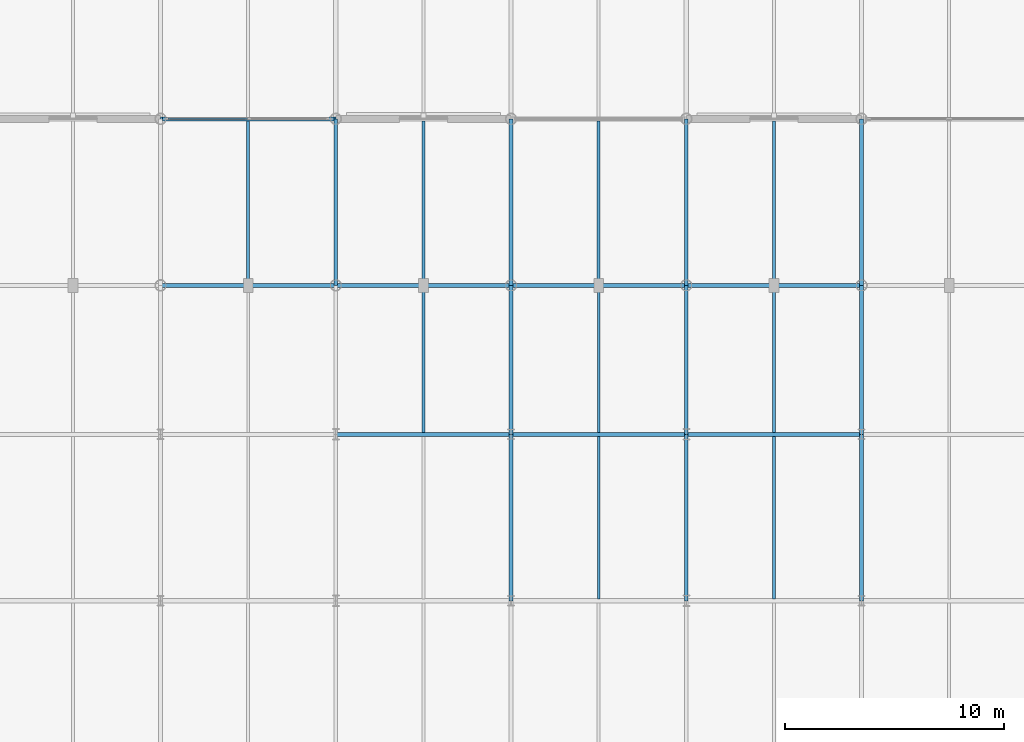
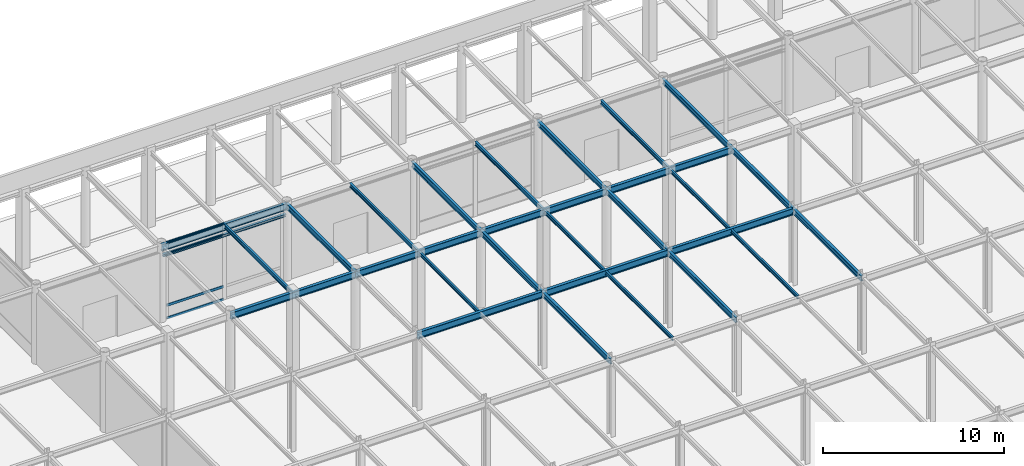
# One storey, part 37 of 89: 28 beams, 4 members, 1 element without a shape of its own.
"""IFC4 building model written with IfcOpenShell, lengths in metres."""

import ifcopenshell
import ifcopenshell.guid

model = None  # the IFC model being written
_history = None  # IfcOwnerHistory: only IFC2X3 demands one
_inside = {}  # id of a spatial element -> (the spatial element, [elements in it])
_under = {}  # id of a project, library or spatial element -> (it, [spatial elements below it])
_declared = {}  # id of a project -> (the project, [libraries it declares])
_typed = {}  # id of a type object -> (the type object, [elements of that type])
_made_of = {}  # id of a material, layer set ... -> (it, [elements and type objects made of it])


def new_model(schema):
    """Start an empty IFC model of exactly this schema.

    Asked for "IFC4X3", IfcOpenShell would pick the latest addendum, in which some entities
    have other attributes; the version numbers below select the first issue.
    IFC2X3 requires an IfcOwnerHistory on every rooted entity: one is made here for all.
    """
    global model, _history
    if schema == "IFC4X3":
        model = ifcopenshell.file(schema_version=(4, 3, 0, 0))
    else:
        model = ifcopenshell.file(schema=schema)
    _inside.clear()
    _under.clear()
    _declared.clear()
    _typed.clear()
    _made_of.clear()
    _history = None
    if model.schema == "IFC2X3":
        org = make("IfcOrganization", Name="unknown")
        user = make(
            "IfcPersonAndOrganization",
            ThePerson=make("IfcPerson", FamilyName="unknown"),
            TheOrganization=org,
        )
        app = make(
            "IfcApplication",
            ApplicationDeveloper=org,
            Version="unknown",
            ApplicationFullName="unknown",
            ApplicationIdentifier="unknown",
        )
        _history = make(
            "IfcOwnerHistory",
            OwningUser=user,
            OwningApplication=app,
            ChangeAction="ADDED",
            CreationDate=0,
        )
    return model


def make(cls, **values):
    """One entity of the class cls with the attributes given. An attribute that is None is left unset."""
    return model.create_entity(
        cls, **{name: value for name, value in values.items() if value is not None}
    )


def rooted(cls, **values):
    """An entity with a GlobalId (a new one), such as an element, a storey or a relation."""
    return make(cls, GlobalId=ifcopenshell.guid.new(), OwnerHistory=_history, **values)


def si_unit(unit_type, name, prefix=None):
    """IfcSIUnit, for example si_unit("LENGTHUNIT", "METRE", prefix="MILLI")."""
    return make("IfcSIUnit", UnitType=unit_type, Prefix=prefix, Name=name)


def assignment(units):
    """IfcUnitAssignment: the units of a project."""
    return None if units is None else make("IfcUnitAssignment", Units=units)


def point(xyz):
    """IfcCartesianPoint."""
    return None if xyz is None else make("IfcCartesianPoint", Coordinates=xyz)


def direction(xyz):
    """IfcDirection."""
    return None if xyz is None else make("IfcDirection", DirectionRatios=xyz)


def frame(location, z_axis=None, x_axis=None):
    """IfcAxis2Placement3D, a coordinate frame: its origin and axes. An axis left out is left unset."""
    return make(
        "IfcAxis2Placement3D",
        Location=point(location),
        Axis=direction(z_axis),
        RefDirection=direction(x_axis),
    )


def frame_2d(location, x_axis=None):
    """IfcAxis2Placement2D, a coordinate frame in the plane: its origin and x axis."""
    return make(
        "IfcAxis2Placement2D", Location=point(location), RefDirection=direction(x_axis)
    )


def origin():
    """The frame at (0, 0, 0) with its axes left unset."""
    return frame((0.0, 0.0, 0.0))


def origin_2d():
    """The frame at (0, 0) in the plane with its x axis left unset."""
    return frame_2d((0.0, 0.0))


def place(relative_to, where):
    """IfcLocalPlacement: puts the frame where relative to a parent placement (None: the world)."""
    return make(
        "IfcLocalPlacement", PlacementRelTo=relative_to, RelativePlacement=where
    )


def context(
    kind, dimensions, precision=None, world=None, true_north=None, identifier=None
):
    """IfcGeometricRepresentationContext, for example the 3D "Model" context."""
    return make(
        "IfcGeometricRepresentationContext",
        ContextIdentifier=identifier,
        ContextType=kind,
        CoordinateSpaceDimension=dimensions,
        Precision=precision,
        WorldCoordinateSystem=world,
        TrueNorth=true_north,
    )


def subcontext(parent, identifier, kind, view, scale=None):
    """IfcGeometricRepresentationSubContext, for example "Body" below "Model"."""
    return make(
        "IfcGeometricRepresentationSubContext",
        ContextIdentifier=identifier,
        ContextType=kind,
        ParentContext=parent,
        TargetScale=scale,
        TargetView=view,
    )


def project(units=None, contexts=None):
    """IfcProject with its units and contexts."""
    return rooted(
        "IfcProject",
        Name="project",
        RepresentationContexts=contexts,
        UnitsInContext=assignment(units),
    )


def spatial(cls, under=None, at=None, **own):
    """A site, building, storey or space (cls), placed at a placement, below another one or the project."""
    s = rooted(cls, ObjectPlacement=at, **own)
    if under is not None:
        _under.setdefault(under.id(), (under, []))[1].append(s)
    return s


def profile(cls, at=None, kind="AREA", **sizes):
    """A parametric profile (cls). Its sizes go by their IFC names, for example OverallWidth=200.0."""
    return make(cls, ProfileType=kind, Position=at, **sizes)


def hollow_rectangle(**sizes):
    """IfcRectangleHollowProfileDef."""
    return profile("IfcRectangleHollowProfileDef", **sizes)


def i_section(**sizes):
    """IfcIShapeProfileDef."""
    return profile("IfcIShapeProfileDef", **sizes)


def extrude(swept, where, along, depth):
    """IfcExtrudedAreaSolid: the profile swept, set in the frame where, extruded along a direction by depth."""
    return make(
        "IfcExtrudedAreaSolid",
        SweptArea=swept,
        Position=where,
        ExtrudedDirection=direction(along),
        Depth=depth,
    )


def shape(context_of_items, identifier, shape_type, items):
    """IfcShapeRepresentation: the items that make up one representation, for example the "Body"."""
    return make(
        "IfcShapeRepresentation",
        ContextOfItems=context_of_items,
        RepresentationIdentifier=identifier,
        RepresentationType=shape_type,
        Items=items,
    )


def material(Name=None, Category=None):
    """IfcMaterial."""
    return make("IfcMaterial", Name=Name, Category=Category)


def layer(
    of_material, thickness, ventilated=None, Name=None, Category=None, Priority=None
):
    """IfcMaterialLayer: one layer of a wall or slab, of a material (None: an air gap)."""
    return make(
        "IfcMaterialLayer",
        Material=of_material,
        LayerThickness=thickness,
        IsVentilated=ventilated,
        Name=Name,
        Category=Category,
        Priority=Priority,
    )


def layer_set(layers, Name=None):
    """IfcMaterialLayerSet."""
    return make("IfcMaterialLayerSet", MaterialLayers=layers, LayerSetName=Name)


def material_profile(
    of_material, cross_section, Name=None, Category=None, Priority=None
):
    """IfcMaterialProfile: a cross section and its material."""
    return make(
        "IfcMaterialProfile",
        Name=Name,
        Material=of_material,
        Profile=cross_section,
        Priority=Priority,
        Category=Category,
    )


def profile_set(profiles, Name=None, composite=None):
    """IfcMaterialProfileSet."""
    return make(
        "IfcMaterialProfileSet",
        Name=Name,
        MaterialProfiles=profiles,
        CompositeProfile=composite,
    )


def made_of(thing, what):
    """Note that an element or type object is made of a material, layer set ...; save() writes the relation."""
    if what is not None:
        _made_of.setdefault(what.id(), (what, []))[1].append(thing)
    return thing


def type_object(cls, material=None, **own):
    """A type object (cls), such as IfcWallType, which elements share."""
    return made_of(rooted(cls, **own), material)


def element(
    cls,
    number,
    at=None,
    inside=None,
    cuts=None,
    type_object=None,
    material=None,
    context=None,
    identifier="Body",
    shape_type=None,
    held_by="IfcProductDefinitionShape",
    body=None,
    shapes=None,
    **own,
):
    """One element of the class cls, such as IfcWall. Its Tag is "e" and its number.

    at: its placement. inside: the storey or other place that contains it. cuts: it is an
    opening in that element (IfcRelVoidsElement). A single representation is given by context,
    identifier, shape_type and body (its items); several are given by shapes. held_by: the class
    of the entity that holds the representations. save() writes the other relations.
    """
    e = rooted(cls, Tag="e%d" % number, ObjectPlacement=at, **own)
    if body is not None:
        shapes = [shape(context, identifier, shape_type, body)]
    if shapes is not None:
        e.Representation = make(held_by, Representations=shapes)
    if inside is not None:
        _inside.setdefault(inside.id(), (inside, []))[1].append(e)
    if cuts is not None:
        rooted(
            "IfcRelVoidsElement", RelatingBuildingElement=cuts, RelatedOpeningElement=e
        )
    if type_object is not None:
        _typed.setdefault(type_object.id(), (type_object, []))[1].append(e)
    return made_of(e, material)


def aggregate(whole, parts):
    """IfcRelAggregates: a whole, such as a stair, and the parts it consists of."""
    return rooted("IfcRelAggregates", RelatingObject=whole, RelatedObjects=parts)


def save(model, path):
    """Write the relations noted so far, then the file.

    IfcRelAggregates (storeys below a building ...), IfcRelContainedInSpatialStructure (elements
    in a storey), IfcRelDefinesByType, IfcRelAssociatesMaterial and IfcRelDeclares: one each for
    every whole, place, type object, material and project.
    """
    for whole, parts in _under.values():
        aggregate(whole, parts)
    for where, things in _inside.values():
        rooted(
            "IfcRelContainedInSpatialStructure",
            RelatedElements=things,
            RelatingStructure=where,
        )
    for kind, things in _typed.values():
        rooted("IfcRelDefinesByType", RelatedObjects=things, RelatingType=kind)
    for what, things in _made_of.values():
        rooted("IfcRelAssociatesMaterial", RelatedObjects=things, RelatingMaterial=what)
    for by, libraries in _declared.values():
        rooted("IfcRelDeclares", RelatingContext=by, RelatedDefinitions=libraries)
    model.write(path)


model = new_model("IFC4")

# Units and contexts
model_context = context("Model", 3, precision=1e-05, world=origin(), true_north=direction((0.0, 1.0)))
body_context = subcontext(model_context, "Body", "Model", "MODEL_VIEW")
ifc_project = project(units=[si_unit("LENGTHUNIT", "METRE"), si_unit("AREAUNIT", "SQUARE_METRE"), si_unit("VOLUMEUNIT", "CUBIC_METRE"), si_unit("PLANEANGLEUNIT", "RADIAN"), si_unit("MASSUNIT", "GRAM", prefix="KILO")], contexts=[model_context])

# Site, building, storey
site_placement = place(None, origin())
site = spatial("IfcSite", under=ifc_project, at=site_placement, CompositionType="ELEMENT")
building_placement = place(site_placement, origin())
building = spatial("IfcBuilding", under=site, at=building_placement, Name="Shalkamar Park Central Library", CompositionType="ELEMENT")
storey_placement = place(building_placement, origin())
storey = spatial("IfcBuildingStorey", under=building, at=storey_placement, Name="L01", CompositionType="ELEMENT", Elevation=0.0)

# Beams
ifc_material_1 = material(Name="Steel S355", Category="steel")
ifc_material_profile_1 = material_profile(ifc_material_1, i_section(OverallWidth=0.1201171875, OverallDepth=0.239990234375, WebThickness=0.006103515625, FlangeThickness=0.009765625, FilletRadius=0.014892578125, at=origin_2d()), Name="IPE 240")
ifc_profile_set_1 = profile_set([ifc_material_profile_1], Name="Steel S355")
beam_type_1 = type_object("IfcBeamType", Name="Composite Floor Joist IPE240", PredefinedType="JOIST", material=ifc_profile_set_1)
beam_1_placement = place(storey_placement, frame((185.0, 331.29296875, 5.02001953125), z_axis=(0.0, 1.0, 0.0), x_axis=(-1.0, 0.0, 0.0)))
element("IfcBeam", 1, at=beam_1_placement, inside=storey, type_object=beam_type_1, Name="Composite Joist 09/N-1 (L01)", PredefinedType="JOIST", context=body_context, shape_type="SweptSolid", body=[
    extrude(i_section(OverallWidth=0.1201171875, OverallDepth=0.239990234375, WebThickness=0.006103515625, FlangeThickness=0.009765625, FilletRadius=0.014892578125, at=origin_2d()), origin(), (0.0, 0.0, 1.0), 6.614013671875),
])
beam_2_placement = place(storey_placement, frame((193.0, 323.693115234375, 5.02001953125), z_axis=(0.0, 1.0, 0.0), x_axis=(-1.0, 0.0, 0.0)))
element("IfcBeam", 2, at=beam_2_placement, inside=storey, type_object=beam_type_1, Name="Composite Joist 10/M-1 (L01)", PredefinedType="JOIST", context=body_context, shape_type="SweptSolid", body=[
    extrude(i_section(OverallWidth=0.1201171875, OverallDepth=0.239990234375, WebThickness=0.006103515625, FlangeThickness=0.009765625, FilletRadius=0.014892578125, at=origin_2d()), origin(), (0.0, 0.0, 1.0), 7.413818359375),
])
beam_3_placement = place(storey_placement, frame((193.0, 331.29296875, 5.02001953125), z_axis=(0.0, 1.0, 0.0), x_axis=(-1.0, 0.0, 0.0)))
element("IfcBeam", 3, at=beam_3_placement, inside=storey, type_object=beam_type_1, Name="Composite Joist 10/N-1 (L01)", PredefinedType="JOIST", context=body_context, shape_type="SweptSolid", body=[
    extrude(i_section(OverallWidth=0.1201171875, OverallDepth=0.239990234375, WebThickness=0.006103515625, FlangeThickness=0.009765625, FilletRadius=0.014892578125, at=origin_2d()), origin(), (0.0, 0.0, 1.0), 6.614013671875),
])
beam_4_placement = place(storey_placement, frame((201.0, 323.693115234375, 5.02001953125), z_axis=(0.0, 1.0, 0.0), x_axis=(-1.0, 0.0, 0.0)))
element("IfcBeam", 4, at=beam_4_placement, inside=storey, type_object=beam_type_1, Name="Composite Joist 11/M-1 (L01)", PredefinedType="JOIST", context=body_context, shape_type="SweptSolid", body=[
    extrude(i_section(OverallWidth=0.1201171875, OverallDepth=0.239990234375, WebThickness=0.006103515625, FlangeThickness=0.009765625, FilletRadius=0.014892578125, at=origin_2d()), origin(), (0.0, 0.0, 1.0), 7.413818359375),
])
beam_5_placement = place(storey_placement, frame((201.0, 331.29296875, 5.02001953125), z_axis=(0.0, 1.0, 0.0), x_axis=(-1.0, 0.0, 0.0)))
element("IfcBeam", 5, at=beam_5_placement, inside=storey, type_object=beam_type_1, Name="Composite Joist 11/N-1 (L01)", PredefinedType="JOIST", context=body_context, shape_type="SweptSolid", body=[
    extrude(i_section(OverallWidth=0.1201171875, OverallDepth=0.239990234375, WebThickness=0.006103515625, FlangeThickness=0.009765625, FilletRadius=0.014892578125, at=origin_2d()), origin(), (0.0, 0.0, 1.0), 6.614013671875),
])
ifc_material_profile_2 = material_profile(ifc_material_1, i_section(OverallWidth=0.135009765625, OverallDepth=0.27001953125, WebThickness=0.006591796875, FlangeThickness=0.01025390625, FilletRadius=0.014892578125, at=origin_2d()), Name="IPE 270")
ifc_profile_set_2 = profile_set([ifc_material_profile_2], Name="Steel S355")
beam_type_2 = type_object("IfcBeamType", Name="Composite Floor Joist IPE270", PredefinedType="JOIST", material=ifc_profile_set_2)
for number, where, z_axis, x_axis, name in (
    (6, (177.0, 338.093017578125, 5.0048828125), (0.0, 1.0, 0.0), (-1.0, 0.0, 0.0), "Composite Joist 08/P-1 (L01)"),
    (7, (185.0, 338.093017578125, 5.0048828125), (0.0, 1.0, 0.0), (-1.0, 0.0, 0.0), "Composite Joist 09/P-1 (L01)"),
    (8, (193.0, 338.093017578125, 5.0048828125), (0.0, 1.0, 0.0), (-1.0, 0.0, 0.0), "Composite Joist 10/P-1 (L01)"),
    (9, (201.0, 338.093017578125, 5.0048828125), (0.0, 1.0, 0.0), (-1.0, 0.0, 0.0), "Composite Joist 11/P-1 (L01)"),
):
    element("IfcBeam", number, at=place(storey_placement, frame(where, z_axis=z_axis, x_axis=x_axis)), inside=storey, type_object=beam_type_2, Name=name, PredefinedType="JOIST", context=body_context, shape_type="SweptSolid", body=[
        extrude(i_section(OverallWidth=0.135009765625, OverallDepth=0.27001953125, WebThickness=0.006591796875, FlangeThickness=0.01025390625, FilletRadius=0.014892578125, at=origin_2d()), origin(), (0.0, 0.0, 1.0), 7.4140625),
    ])

# Curtain wall, members
ifc_material_2 = material(Name="Thermally broken aluminium and triple low-e curtain wall", Category="aluminium")
ifc_layer = layer(ifc_material_2, 0.2548828125)
ifc_layer_set = layer_set([ifc_layer], Name="UnitisedCurtainWall_08")
curtain_wall_type = type_object("IfcCurtainWallType", Name="Unitised Curtain Wall 08", PredefinedType="USERDEFINED", material=ifc_layer_set)
curtain_wall_placement = place(storey_placement, origin())
curtain_wall = element("IfcCurtainWall", 10, at=curtain_wall_placement, inside=storey, type_object=curtain_wall_type, Name="Unitised Curtain Wall CW-L01-008", ObjectType="UNITISED CURTAIN WALL", PredefinedType="USERDEFINED")
ifc_material_3 = material(Name="Aluminium 6060-T66", Category="aluminium")
ifc_material_profile_3 = material_profile(ifc_material_3, hollow_rectangle(XDim=0.06494140625, YDim=0.169921875, WallThickness=0.00390625, InnerFilletRadius=0.00390625, OuterFilletRadius=0.006103515625, at=origin_2d()), Name="ALU 65x170x4")
ifc_profile_set_3 = profile_set([ifc_material_profile_3], Name="Aluminium 6060-T66")
member_type = type_object("IfcMemberType", Name="Curtain Wall Transom ALU65x170", PredefinedType="USERDEFINED", material=ifc_profile_set_3)
member_1_placement = place(storey_placement, frame((173.337890625, 345.60009765625, 0.032470703125), z_axis=(1.0, 0.0, 0.0), x_axis=(0.0, 1.0, 0.0)))
member_1 = element("IfcMember", 11, at=member_1_placement, type_object=member_type, Name="CW-08 transom 1.1", ObjectType="TRANSOM", PredefinedType="USERDEFINED", context=body_context, shape_type="SweptSolid", body=[
    extrude(hollow_rectangle(XDim=0.06494140625, YDim=0.169921875, WallThickness=0.00390625, InnerFilletRadius=0.00390625, OuterFilletRadius=0.006103515625, at=origin_2d()), origin(), (0.0, 0.0, 1.0), 3.6220703125),
])
member_2_placement = place(storey_placement, frame((173.337890625, 345.60009765625, 0.89990234375), z_axis=(1.0, 0.0, 0.0), x_axis=(0.0, 1.0, 0.0)))
member_2 = element("IfcMember", 12, at=member_2_placement, type_object=member_type, Name="CW-08 transom 1.2", ObjectType="TRANSOM", PredefinedType="USERDEFINED", context=body_context, shape_type="SweptSolid", body=[
    extrude(hollow_rectangle(XDim=0.06494140625, YDim=0.169921875, WallThickness=0.00390625, InnerFilletRadius=0.00390625, OuterFilletRadius=0.006103515625, at=origin_2d()), origin(), (0.0, 0.0, 1.0), 3.6220703125),
])
member_3_placement = place(storey_placement, frame((173.337890625, 345.60009765625, 4.389892578125), z_axis=(1.0, 0.0, 0.0), x_axis=(0.0, 1.0, 0.0)))
member_3 = element("IfcMember", 13, at=member_3_placement, type_object=member_type, Name="CW-08 transom 1.3", ObjectType="TRANSOM", PredefinedType="USERDEFINED", context=body_context, shape_type="SweptSolid", body=[
    extrude(hollow_rectangle(XDim=0.06494140625, YDim=0.169921875, WallThickness=0.00390625, InnerFilletRadius=0.00390625, OuterFilletRadius=0.006103515625, at=origin_2d()), origin(), (0.0, 0.0, 1.0), 3.6220703125),
])
member_4_placement = place(storey_placement, frame((173.337890625, 345.60009765625, 5.107421875), z_axis=(1.0, 0.0, 0.0), x_axis=(0.0, 1.0, 0.0)))
member_4 = element("IfcMember", 14, at=member_4_placement, type_object=member_type, Name="CW-08 transom 1.4", ObjectType="TRANSOM", PredefinedType="USERDEFINED", context=body_context, shape_type="SweptSolid", body=[
    extrude(hollow_rectangle(XDim=0.06494140625, YDim=0.169921875, WallThickness=0.00390625, InnerFilletRadius=0.00390625, OuterFilletRadius=0.006103515625, at=origin_2d()), origin(), (0.0, 0.0, 1.0), 3.6220703125),
])
aggregate(curtain_wall, [member_1, member_2, member_3, member_4])

# Beams
ifc_material_profile_4 = material_profile(ifc_material_1, i_section(OverallWidth=0.179931640625, OverallDepth=0.1708984375, WebThickness=0.006103515625, FlangeThickness=0.009521484375, FilletRadius=0.014892578125, at=origin_2d()), Name="HEA 180")
ifc_profile_set_4 = profile_set([ifc_material_profile_4], Name="Steel S355")
beam_type_3 = type_object("IfcBeamType", Name="Opening Lintel Beam HEA180", PredefinedType="LINTEL", material=ifc_profile_set_4)
beam_6_placement = place(storey_placement, frame((173.080078125, 345.60009765625, 4.35009765625), z_axis=(1.0, 0.0, 0.0), x_axis=(0.0, 1.0, 0.0)))
element("IfcBeam", 15, at=beam_6_placement, inside=storey, type_object=beam_type_3, Name="Opening Lintel L01-10", PredefinedType="LINTEL", context=body_context, shape_type="SweptSolid", body=[
    extrude(i_section(OverallWidth=0.179931640625, OverallDepth=0.1708984375, WebThickness=0.006103515625, FlangeThickness=0.009521484375, FilletRadius=0.014892578125, at=origin_2d()), origin(), (0.0, 0.0, 1.0), 7.83984375),
])
ifc_material_profile_5 = material_profile(ifc_material_1, i_section(OverallWidth=0.169921875, OverallDepth=0.360107421875, WebThickness=0.008056640625, FlangeThickness=0.0126953125, FilletRadius=0.01806640625, at=origin_2d()), Name="IPE 360")
ifc_profile_set_5 = profile_set([ifc_material_profile_5], Name="Steel S355")
beam_type_4 = type_object("IfcBeamType", Name="Primary Girder IPE360", PredefinedType="BEAM", material=ifc_profile_set_5)
beam_7_placement = place(storey_placement, frame((181.0, 338.0, 4.9599609375), z_axis=(0.0, 1.0, 0.0), x_axis=(-1.0, 0.0, 0.0)))
element("IfcBeam", 16, at=beam_7_placement, inside=storey, type_object=beam_type_4, Name="Beam 09:P-Q (L01)", PredefinedType="BEAM", context=body_context, shape_type="SweptSolid", body=[
    extrude(i_section(OverallWidth=0.169921875, OverallDepth=0.360107421875, WebThickness=0.008056640625, FlangeThickness=0.0126953125, FilletRadius=0.01806640625, at=origin_2d()), origin(), (0.0, 0.0, 1.0), 7.60009765625),
])
beam_8_placement = place(storey_placement, frame((189.0, 323.60009765625, 4.9599609375), z_axis=(0.0, 1.0, 0.0), x_axis=(-1.0, 0.0, 0.0)))
element("IfcBeam", 17, at=beam_8_placement, inside=storey, type_object=beam_type_4, Name="Beam 10:M-N (L01)", PredefinedType="BEAM", context=body_context, shape_type="SweptSolid", body=[
    extrude(i_section(OverallWidth=0.169921875, OverallDepth=0.360107421875, WebThickness=0.008056640625, FlangeThickness=0.0126953125, FilletRadius=0.01806640625, at=origin_2d()), origin(), (0.0, 0.0, 1.0), 7.599853515625),
])
beam_9_placement = place(storey_placement, frame((189.0, 331.199951171875, 4.9599609375), z_axis=(0.0, 1.0, 0.0), x_axis=(-1.0, 0.0, 0.0)))
element("IfcBeam", 18, at=beam_9_placement, inside=storey, type_object=beam_type_4, Name="Beam 10:N-P (L01)", PredefinedType="BEAM", context=body_context, shape_type="SweptSolid", body=[
    extrude(i_section(OverallWidth=0.169921875, OverallDepth=0.360107421875, WebThickness=0.008056640625, FlangeThickness=0.0126953125, FilletRadius=0.01806640625, at=origin_2d()), origin(), (0.0, 0.0, 1.0), 6.800048828125),
])
beam_10_placement = place(storey_placement, frame((189.0, 338.0, 4.9599609375), z_axis=(0.0, 1.0, 0.0), x_axis=(-1.0, 0.0, 0.0)))
element("IfcBeam", 19, at=beam_10_placement, inside=storey, type_object=beam_type_4, Name="Beam 10:P-Q (L01)", PredefinedType="BEAM", context=body_context, shape_type="SweptSolid", body=[
    extrude(i_section(OverallWidth=0.169921875, OverallDepth=0.360107421875, WebThickness=0.008056640625, FlangeThickness=0.0126953125, FilletRadius=0.01806640625, at=origin_2d()), origin(), (0.0, 0.0, 1.0), 7.60009765625),
])
beam_11_placement = place(storey_placement, frame((197.0, 323.60009765625, 4.9599609375), z_axis=(0.0, 1.0, 0.0), x_axis=(-1.0, 0.0, 0.0)))
element("IfcBeam", 20, at=beam_11_placement, inside=storey, type_object=beam_type_4, Name="Beam 11:M-N (L01)", PredefinedType="BEAM", context=body_context, shape_type="SweptSolid", body=[
    extrude(i_section(OverallWidth=0.169921875, OverallDepth=0.360107421875, WebThickness=0.008056640625, FlangeThickness=0.0126953125, FilletRadius=0.01806640625, at=origin_2d()), origin(), (0.0, 0.0, 1.0), 7.599853515625),
])
beam_12_placement = place(storey_placement, frame((197.0, 331.199951171875, 4.9599609375), z_axis=(0.0, 1.0, 0.0), x_axis=(-1.0, 0.0, 0.0)))
element("IfcBeam", 21, at=beam_12_placement, inside=storey, type_object=beam_type_4, Name="Beam 11:N-P (L01)", PredefinedType="BEAM", context=body_context, shape_type="SweptSolid", body=[
    extrude(i_section(OverallWidth=0.169921875, OverallDepth=0.360107421875, WebThickness=0.008056640625, FlangeThickness=0.0126953125, FilletRadius=0.01806640625, at=origin_2d()), origin(), (0.0, 0.0, 1.0), 6.800048828125),
])
beam_13_placement = place(storey_placement, frame((197.0, 338.0, 4.9599609375), z_axis=(0.0, 1.0, 0.0), x_axis=(-1.0, 0.0, 0.0)))
element("IfcBeam", 22, at=beam_13_placement, inside=storey, type_object=beam_type_4, Name="Beam 11:P-Q (L01)", PredefinedType="BEAM", context=body_context, shape_type="SweptSolid", body=[
    extrude(i_section(OverallWidth=0.169921875, OverallDepth=0.360107421875, WebThickness=0.008056640625, FlangeThickness=0.0126953125, FilletRadius=0.01806640625, at=origin_2d()), origin(), (0.0, 0.0, 1.0), 7.60009765625),
])
beam_14_placement = place(storey_placement, frame((205.0, 323.60009765625, 4.9599609375), z_axis=(0.0, 1.0, 0.0), x_axis=(-1.0, 0.0, 0.0)))
element("IfcBeam", 23, at=beam_14_placement, inside=storey, type_object=beam_type_4, Name="Beam 12:M-N (L01)", PredefinedType="BEAM", context=body_context, shape_type="SweptSolid", body=[
    extrude(i_section(OverallWidth=0.169921875, OverallDepth=0.360107421875, WebThickness=0.008056640625, FlangeThickness=0.0126953125, FilletRadius=0.01806640625, at=origin_2d()), origin(), (0.0, 0.0, 1.0), 7.599853515625),
])
beam_15_placement = place(storey_placement, frame((205.0, 331.199951171875, 4.9599609375), z_axis=(0.0, 1.0, 0.0), x_axis=(-1.0, 0.0, 0.0)))
element("IfcBeam", 24, at=beam_15_placement, inside=storey, type_object=beam_type_4, Name="Beam 12:N-P (L01)", PredefinedType="BEAM", context=body_context, shape_type="SweptSolid", body=[
    extrude(i_section(OverallWidth=0.169921875, OverallDepth=0.360107421875, WebThickness=0.008056640625, FlangeThickness=0.0126953125, FilletRadius=0.01806640625, at=origin_2d()), origin(), (0.0, 0.0, 1.0), 6.800048828125),
])
beam_16_placement = place(storey_placement, frame((205.0, 338.0, 4.9599609375), z_axis=(0.0, 1.0, 0.0), x_axis=(-1.0, 0.0, 0.0)))
element("IfcBeam", 25, at=beam_16_placement, inside=storey, type_object=beam_type_4, Name="Beam 12:P-Q (L01)", PredefinedType="BEAM", context=body_context, shape_type="SweptSolid", body=[
    extrude(i_section(OverallWidth=0.169921875, OverallDepth=0.360107421875, WebThickness=0.008056640625, FlangeThickness=0.0126953125, FilletRadius=0.01806640625, at=origin_2d()), origin(), (0.0, 0.0, 1.0), 7.60009765625),
])
ifc_material_profile_6 = material_profile(ifc_material_1, i_section(OverallWidth=0.18994140625, OverallDepth=0.449951171875, WebThickness=0.009521484375, FlangeThickness=0.0146484375, FilletRadius=0.02099609375, at=origin_2d()), Name="IPE 450")
ifc_profile_set_6 = profile_set([ifc_material_profile_6], Name="Steel S355")
beam_type_5 = type_object("IfcBeamType", Name="Primary Girder IPE450", PredefinedType="BEAM", material=ifc_profile_set_6)
for number, where, z_axis, x_axis, name in (
    (26, (181.0, 331.199951171875, 4.9150390625), (1.0, 0.0, 0.0), (0.0, 1.0, 0.0), "Beam N:09-10 (L01)"),
    (27, (189.0, 331.199951171875, 4.9150390625), (1.0, 0.0, 0.0), (0.0, 1.0, 0.0), "Beam N:10-11 (L01)"),
    (28, (197.0, 331.199951171875, 4.9150390625), (1.0, 0.0, 0.0), (0.0, 1.0, 0.0), "Beam N:11-12 (L01)"),
    (29, (173.0, 338.0, 4.9150390625), (1.0, 0.0, 0.0), (0.0, 1.0, 0.0), "Beam P:08-09 (L01)"),
    (30, (181.0, 338.0, 4.9150390625), (1.0, 0.0, 0.0), (0.0, 1.0, 0.0), "Beam P:09-10 (L01)"),
    (31, (189.0, 338.0, 4.9150390625), (1.0, 0.0, 0.0), (0.0, 1.0, 0.0), "Beam P:10-11 (L01)"),
    (32, (197.0, 338.0, 4.9150390625), (1.0, 0.0, 0.0), (0.0, 1.0, 0.0), "Beam P:11-12 (L01)"),
    (33, (173.0, 345.60009765625, 4.9150390625), (1.0, 0.0, 0.0), (0.0, 1.0, 0.0), "Beam Q:08-09 (L01)"),
):
    element("IfcBeam", number, at=place(storey_placement, frame(where, z_axis=z_axis, x_axis=x_axis)), inside=storey, type_object=beam_type_5, Name=name, PredefinedType="BEAM", context=body_context, shape_type="SweptSolid", body=[
        extrude(i_section(OverallWidth=0.18994140625, OverallDepth=0.449951171875, WebThickness=0.009521484375, FlangeThickness=0.0146484375, FilletRadius=0.02099609375, at=origin_2d()), origin(), (0.0, 0.0, 1.0), 8.0),
    ])

save(model, "model.ifc")
